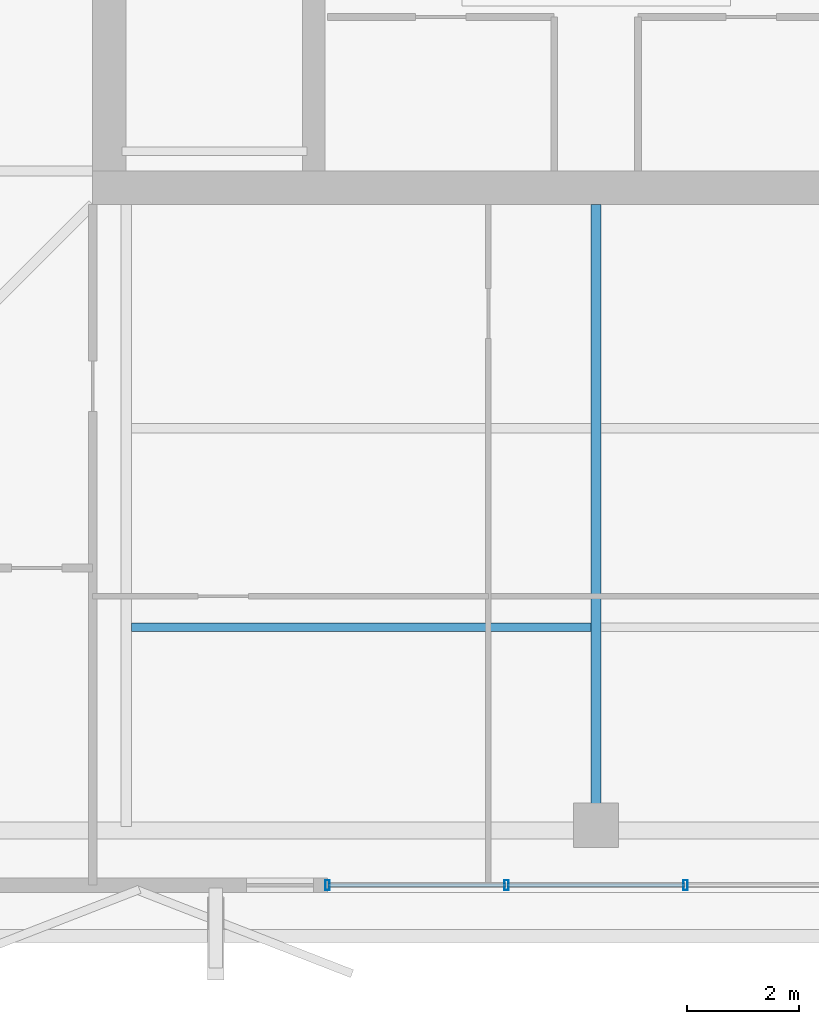
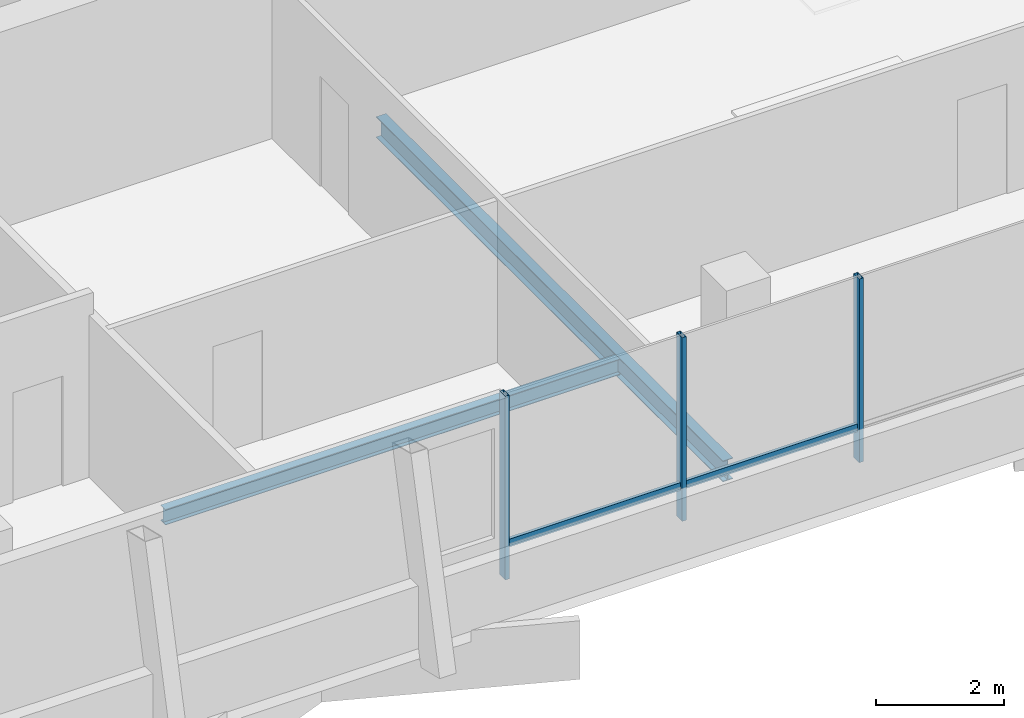
# One storey, part 2 of 18: 5 members, 2 beams, 1 element without a shape of its own.
"""IFC4 building model written with IfcOpenShell, lengths in metres."""

from ifc_helpers import new_model, si_unit, direction, frame, origin, origin_2d, place, context, subcontext, project, spatial, hollow_rectangle, i_section, extrude, material, layer, layer_set, material_profile, profile_set, type_object, element, aggregate, save


model = new_model("IFC4")

# Units and contexts
model_context = context("Model", 3, precision=1e-05, world=origin(), true_north=direction((0.0, 1.0)))
body_context = subcontext(model_context, "Body", "Model", "MODEL_VIEW")
ifc_project = project(units=[si_unit("LENGTHUNIT", "METRE"), si_unit("AREAUNIT", "SQUARE_METRE"), si_unit("VOLUMEUNIT", "CUBIC_METRE"), si_unit("PLANEANGLEUNIT", "RADIAN"), si_unit("MASSUNIT", "GRAM", prefix="KILO")], contexts=[model_context])

# Site, building, storey
site_placement = place(None, origin())
site = spatial("IfcSite", under=ifc_project, at=site_placement, CompositionType="ELEMENT")
building_placement = place(site_placement, origin())
building = spatial("IfcBuilding", under=site, at=building_placement, Name="Belovzor Exchange Tower", CompositionType="ELEMENT")
storey_placement = place(building_placement, frame((0.0, 0.0, 344.25)))
storey = spatial("IfcBuildingStorey", under=building, at=storey_placement, Name="L86", CompositionType="ELEMENT", Elevation=344.25)

# Beam
ifc_material_1 = material(Name="Steel S355", Category="steel")
ifc_material_profile_1 = material_profile(ifc_material_1, i_section(OverallWidth=0.14990234375, OverallDepth=0.300048828125, WebThickness=0.007080078125, FlangeThickness=0.0107421875, at=origin_2d()))
ifc_profile_set_1 = profile_set([ifc_material_profile_1], Name="Steel S355")
beam_type_1 = type_object("IfcBeamType", Name="Secondary Trim Floor Joist IPE 300", PredefinedType="BEAM", material=ifc_profile_set_1)
beam_1_placement = place(storey_placement, frame((20.489990234375, 12.239013671875, -0.389892578125), z_axis=(1.0, 0.0, 0.0), x_axis=(0.0, 1.0, 0.0)))
element("IfcBeam", 1, at=beam_1_placement, inside=storey, type_object=beam_type_1, Name="FJ-300 Secondary Trim Floor Joist IPE 300", PredefinedType="BEAM", context=body_context, shape_type="SweptSolid", body=[
    extrude(i_section(OverallWidth=0.14990234375, OverallDepth=0.300048828125, WebThickness=0.007080078125, FlangeThickness=0.0107421875, at=origin_2d()), origin(), (0.0, 0.0, 1.0), 8.219970703125),
])

# Curtain wall, members
ifc_material_2 = material(Name="Anodised Aluminium Framing", Category="aluminium")
ifc_layer = layer(ifc_material_2, 0.179931640625)
ifc_layer_set = layer_set([ifc_layer], Name="Anodised Aluminium Framing")
curtain_wall_type = type_object("IfcCurtainWallType", Name="Recessed Loggia Low-Iron Triple-Glazed Curtain Wall", PredefinedType="NOTDEFINED", material=ifc_layer_set)
curtain_wall_placement = place(storey_placement, origin())
curtain_wall = element("IfcCurtainWall", 2, at=curtain_wall_placement, inside=storey, type_object=curtain_wall_type, Name="CW3 Recessed Loggia Low-Iron Triple-Glazed Curtain Wall L86", PredefinedType="NOTDEFINED")
ifc_material_3 = material(Name="Steel S355", Category="steel")
ifc_material_profile_2 = material_profile(ifc_material_3, hollow_rectangle(XDim=0.074951171875, YDim=0.179931640625, WallThickness=0.0048828125, at=origin_2d()))
ifc_profile_set_2 = profile_set([ifc_material_profile_2], Name="Steel S355")
member_type_1 = type_object("IfcMemberType", Name="Thermally Broken Curtain Wall Mullion 180x75", PredefinedType="MULLION", material=ifc_profile_set_2)
member_1_placement = place(storey_placement, frame((30.39990234375, 7.6298828125, 0.0), z_axis=(0.0, 0.0, 1.0), x_axis=(-1.0, 0.0, 0.0)))
member_1 = element("IfcMember", 3, at=member_1_placement, type_object=member_type_1, Name="CW-M180 Curtain Wall Mullion 2", PredefinedType="MULLION", context=body_context, shape_type="SweptSolid", body=[
    extrude(hollow_rectangle(XDim=0.074951171875, YDim=0.179931640625, WallThickness=0.0048828125, at=origin_2d()), origin(), (0.0, 0.0, 1.0), 3.510009765625),
])
member_2_placement = place(storey_placement, frame((27.199951171875, 7.6298828125, 0.0), z_axis=(0.0, 0.0, 1.0), x_axis=(-1.0, 0.0, 0.0)))
member_2 = element("IfcMember", 4, at=member_2_placement, type_object=member_type_1, Name="CW-M180 Curtain Wall Mullion 3", PredefinedType="MULLION", context=body_context, shape_type="SweptSolid", body=[
    extrude(hollow_rectangle(XDim=0.074951171875, YDim=0.179931640625, WallThickness=0.0048828125, at=origin_2d()), origin(), (0.0, 0.0, 1.0), 3.510009765625),
])
member_3_placement = place(storey_placement, frame((24.0, 7.6298828125, 0.0), z_axis=(0.0, 0.0, 1.0), x_axis=(-1.0, 0.0, 0.0)))
member_3 = element("IfcMember", 5, at=member_3_placement, type_object=member_type_1, Name="CW-M180 Curtain Wall Mullion 4", PredefinedType="MULLION", context=body_context, shape_type="SweptSolid", body=[
    extrude(hollow_rectangle(XDim=0.074951171875, YDim=0.179931640625, WallThickness=0.0048828125, at=origin_2d()), origin(), (0.0, 0.0, 1.0), 3.510009765625),
])
ifc_material_4 = material(Name="Steel S355", Category="steel")
ifc_material_profile_3 = material_profile(ifc_material_4, hollow_rectangle(XDim=0.06005859375, YDim=0.14990234375, WallThickness=0.00390625, at=origin_2d()))
ifc_profile_set_3 = profile_set([ifc_material_profile_3], Name="Steel S355")
member_type_2 = type_object("IfcMemberType", Name="Thermally Broken Curtain Wall Transom 150x60", PredefinedType="USERDEFINED", material=ifc_profile_set_3)
member_4_placement = place(storey_placement, frame((30.39208984375, 7.6298828125, 0.632080078125), z_axis=(-1.0, 0.0, 0.0), x_axis=(0.0, -1.0, 0.0)))
member_4 = element("IfcMember", 6, at=member_4_placement, type_object=member_type_2, Name="CW-T150 Curtain Wall Transom 2", ObjectType="TRANSOM", PredefinedType="USERDEFINED", context=body_context, shape_type="SweptSolid", body=[
    extrude(hollow_rectangle(XDim=0.06005859375, YDim=0.14990234375, WallThickness=0.00390625, at=origin_2d()), origin(), (0.0, 0.0, 1.0), 3.18408203125),
])
member_5_placement = place(storey_placement, frame((27.19189453125, 7.6298828125, 0.632080078125), z_axis=(-1.0, 0.0, 0.0), x_axis=(0.0, -1.0, 0.0)))
member_5 = element("IfcMember", 7, at=member_5_placement, type_object=member_type_2, Name="CW-T150 Curtain Wall Transom 3", ObjectType="TRANSOM", PredefinedType="USERDEFINED", context=body_context, shape_type="SweptSolid", body=[
    extrude(hollow_rectangle(XDim=0.06005859375, YDim=0.14990234375, WallThickness=0.00390625, at=origin_2d()), origin(), (0.0, 0.0, 1.0), 3.183837890625),
])
aggregate(curtain_wall, [member_1, member_2, member_3, member_4, member_5])

# Beam
ifc_material_5 = material(Name="Steel S355", Category="steel")
ifc_material_profile_4 = material_profile(ifc_material_5, i_section(OverallWidth=0.179931640625, OverallDepth=0.39990234375, WebThickness=0.008544921875, FlangeThickness=0.013427734375, at=origin_2d()))
ifc_profile_set_4 = profile_set([ifc_material_profile_4], Name="Steel S355")
beam_type_2 = type_object("IfcBeamType", Name="Zone 5-6 Radial Composite Floor Beam IPE 400", PredefinedType="BEAM", material=ifc_profile_set_4)
beam_2_placement = place(storey_placement, frame((28.800048828125, 19.800048828125, -0.43994140625), z_axis=(0.0, -1.0, 0.0), x_axis=(1.0, 0.0, 0.0)))
element("IfcBeam", 8, at=beam_2_placement, inside=storey, type_object=beam_type_2, Name="FB-400 Zone 5-6 Radial Composite Floor Beam IPE 400", PredefinedType="BEAM", context=body_context, shape_type="SweptSolid", body=[
    extrude(i_section(OverallWidth=0.179931640625, OverallDepth=0.39990234375, WebThickness=0.008544921875, FlangeThickness=0.013427734375, at=origin_2d()), origin(), (0.0, 0.0, 1.0), 10.85400390625),
])

save(model, "model.ifc")
